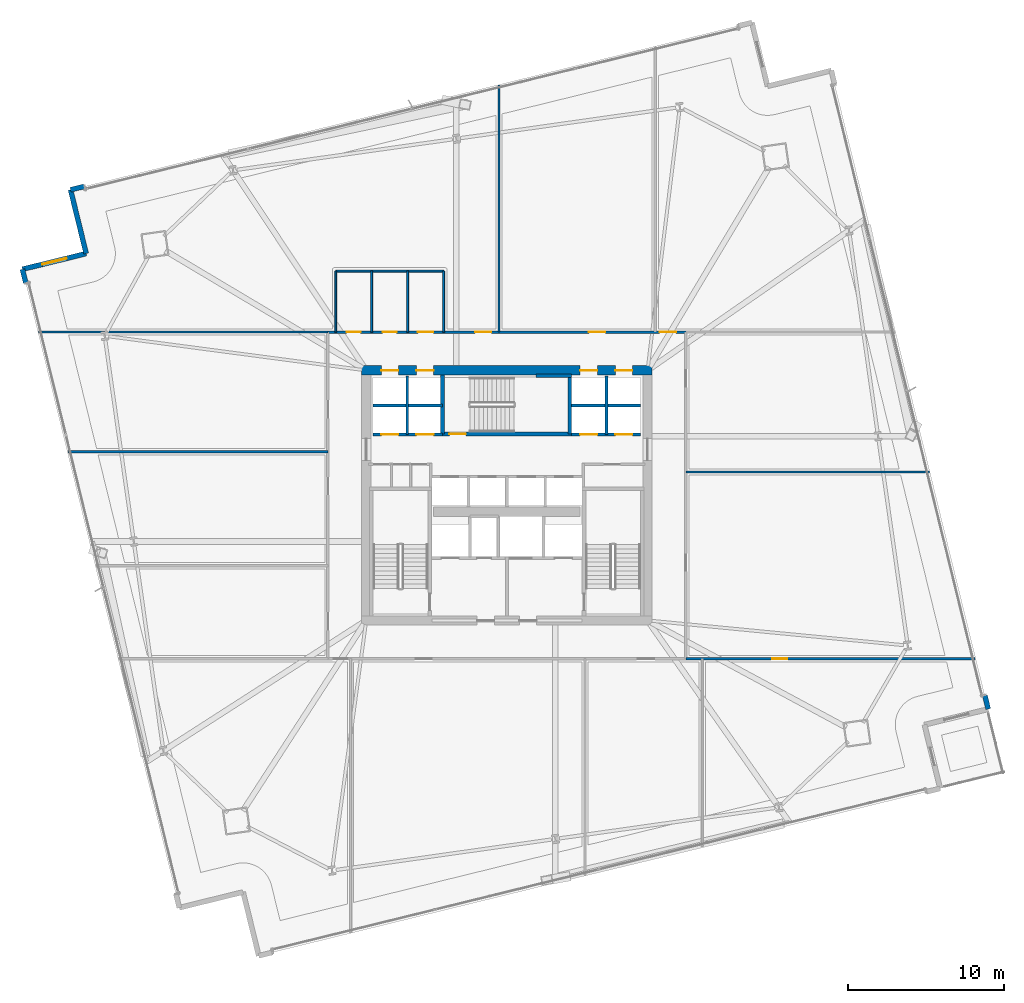
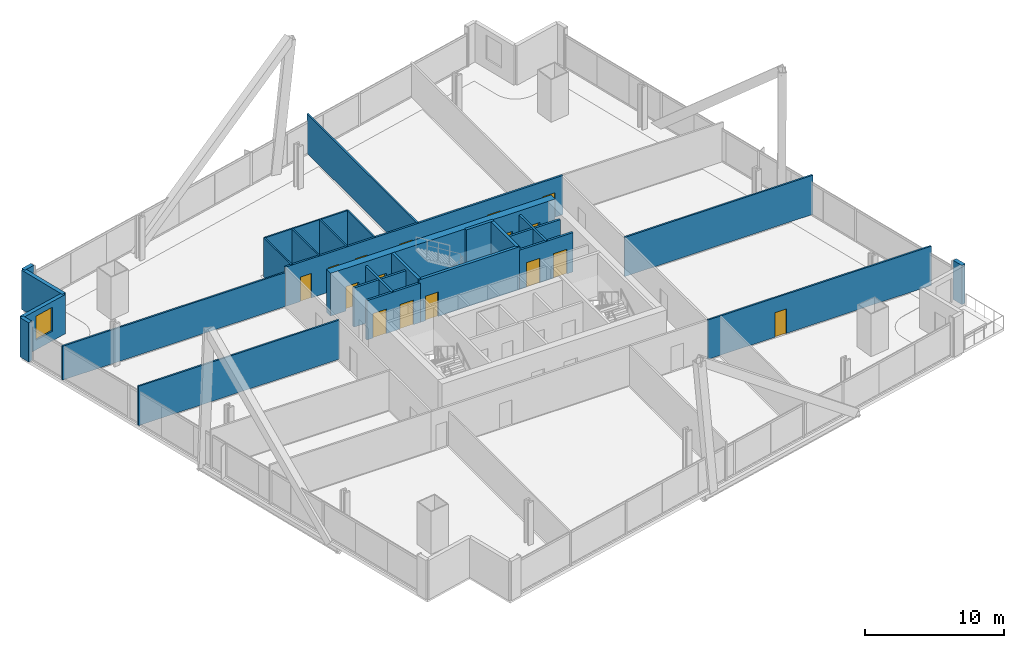
# One storey, part 26 of 32: 27 walls, 16 doors, 1 window, 17 openings.
"""IFC4 building model written with IfcOpenShell, lengths in metres."""

from ifc_helpers import new_model, si_unit, direction, frame, frame_2d, origin, place, context, subcontext, project, spatial, rectangle, extrude, material, layer, layer_set, type_object, element, fill, save


model = new_model("IFC4")

# Units and contexts
model_context = context("Model", 3, precision=1e-05, world=origin(), true_north=direction((0.0, 1.0)))
body_context = subcontext(model_context, "Body", "Model", "MODEL_VIEW")
ifc_project = project(units=[si_unit("LENGTHUNIT", "METRE"), si_unit("AREAUNIT", "SQUARE_METRE"), si_unit("VOLUMEUNIT", "CUBIC_METRE"), si_unit("PLANEANGLEUNIT", "RADIAN"), si_unit("MASSUNIT", "GRAM", prefix="KILO")], contexts=[model_context])

# Site, building, storey
site_placement = place(None, origin())
site = spatial("IfcSite", under=ifc_project, at=site_placement, CompositionType="ELEMENT")
building_placement = place(site_placement, origin())
building = spatial("IfcBuilding", under=site, at=building_placement, Name="Haldenkirk Collegiate Tower", CompositionType="ELEMENT")
storey_placement = place(building_placement, frame((0.0, 0.0, 73.949951171875)))
storey = spatial("IfcBuildingStorey", under=building, at=storey_placement, Name="L17", CompositionType="ELEMENT", Elevation=73.949951171875)

# Wall, openings, doors
ifc_material_1 = material(Name="Concrete f'c 70 MPa", Category="concrete")
ifc_layer_1 = layer(ifc_material_1, 0.60009765625)
ifc_layer_set_1 = layer_set([ifc_layer_1], Name="Concrete f'c 70 MPa")
wall_type_1 = type_object("IfcWallType", Name="WL-CORE-600", PredefinedType="SHEAR", material=ifc_layer_set_1)
wall_1_placement = place(storey_placement, frame((26.699951171875, 34.0, 0.0), z_axis=(0.0, 0.0, 1.0), x_axis=(1.0, 0.0, 0.0)))
wall_1 = element("IfcWall", 1, at=wall_1_placement, inside=storey, type_object=wall_type_1, Name="L17 central core shear wall N", PredefinedType="SHEAR", context=body_context, shape_type="SweptSolid", body=[
    extrude(rectangle(XDim=18.60009765625, YDim=0.60009765625, at=frame_2d((9.300048828125, 0.0))), origin(), (0.0, 0.0, 1.0), 3.75),
])
opening_1_placement = place(wall_1_placement, frame((1.264892578125, 0.0, 0.0)))
opening_1 = element("IfcOpeningElement", 2, at=opening_1_placement, cuts=wall_1, Name="Opening LD-11", PredefinedType="OPENING", context=body_context, shape_type="SweptSolid", body=[
    extrude(rectangle(XDim=1.10009765625, YDim=2.14990234375, at=frame_2d((0.550048828125, 1.074951171875))), frame((0.0, 0.31005859375, 0.0), z_axis=(0.0, -1.0, 0.0), x_axis=(1.0, 0.0, 0.0)), (0.0, 0.0, 1.0), 0.6201171875),
])
opening_2_placement = place(wall_1_placement, frame((3.514892578125, 0.0, 0.0)))
opening_2 = element("IfcOpeningElement", 3, at=opening_2_placement, cuts=wall_1, Name="Opening LD-11", PredefinedType="OPENING", context=body_context, shape_type="SweptSolid", body=[
    extrude(rectangle(XDim=1.10009765625, YDim=2.14990234375, at=frame_2d((0.550048828125, 1.074951171875))), frame((0.0, 0.31005859375, 0.0), z_axis=(0.0, -1.0, 0.0), x_axis=(1.0, 0.0, 0.0)), (0.0, 0.0, 1.0), 0.6201171875),
])
opening_3_placement = place(wall_1_placement, frame((13.985107421875, 0.0, 0.0)))
opening_3 = element("IfcOpeningElement", 4, at=opening_3_placement, cuts=wall_1, Name="Opening LD-11", PredefinedType="OPENING", context=body_context, shape_type="SweptSolid", body=[
    extrude(rectangle(XDim=1.10009765625, YDim=2.14990234375, at=frame_2d((0.550048828125, 1.074951171875))), frame((0.0, 0.31005859375, 0.0), z_axis=(0.0, -1.0, 0.0), x_axis=(1.0, 0.0, 0.0)), (0.0, 0.0, 1.0), 0.6201171875),
])
opening_4_placement = place(wall_1_placement, frame((16.235107421875, 0.0, 0.0)))
opening_4 = element("IfcOpeningElement", 5, at=opening_4_placement, cuts=wall_1, Name="Opening LD-11", PredefinedType="OPENING", context=body_context, shape_type="SweptSolid", body=[
    extrude(rectangle(XDim=1.10009765625, YDim=2.14990234375, at=frame_2d((0.550048828125, 1.074951171875))), frame((0.0, 0.31005859375, 0.0), z_axis=(0.0, -1.0, 0.0), x_axis=(1.0, 0.0, 0.0)), (0.0, 0.0, 1.0), 0.6201171875),
])
ifc_material_2 = material(Name="Brushed architectural stainless steel", Category="steel")
ifc_layer_2 = layer(ifc_material_2, 0.06005859375)
ifc_layer_set_2 = layer_set([ifc_layer_2], Name="Brushed architectural stainless steel")
door_type_1 = type_object("IfcDoorType", Name="LD-PASS-1100", OperationType="NOTDEFINED", PredefinedType="DOOR", material=ifc_layer_set_2)
door_1_placement = place(opening_1_placement, origin())
door_1 = element("IfcDoor", 6, at=door_1_placement, inside=storey, type_object=door_type_1, Name="L17 Elevator PL3 sliding landing door", OperationType="SLIDING_TO_LEFT", OverallHeight=2.14990234375, OverallWidth=1.10009765625, PredefinedType="DOOR", context=body_context, shape_type="SweptSolid", body=[
    extrude(rectangle(XDim=1.10009765625, YDim=2.14990234375, at=frame_2d((0.550048828125, 1.074951171875))), frame((0.0, 0.02490234375, 0.0), z_axis=(0.0, -1.0, 0.0), x_axis=(1.0, 0.0, 0.0)), (0.0, 0.0, 1.0), 0.050048828125),
])
fill(opening_1, door_1)
door_2_placement = place(opening_2_placement, origin())
door_2 = element("IfcDoor", 7, at=door_2_placement, inside=storey, type_object=door_type_1, Name="L17 Elevator PL4 sliding landing door", OperationType="SLIDING_TO_LEFT", OverallHeight=2.14990234375, OverallWidth=1.10009765625, PredefinedType="DOOR", context=body_context, shape_type="SweptSolid", body=[
    extrude(rectangle(XDim=1.10009765625, YDim=2.14990234375, at=frame_2d((0.550048828125, 1.074951171875))), frame((0.0, 0.02490234375, 0.0), z_axis=(0.0, -1.0, 0.0), x_axis=(1.0, 0.0, 0.0)), (0.0, 0.0, 1.0), 0.050048828125),
])
fill(opening_2, door_2)
door_3_placement = place(opening_3_placement, origin())
door_3 = element("IfcDoor", 8, at=door_3_placement, inside=storey, type_object=door_type_1, Name="L17 Elevator PM3 sliding landing door", OperationType="SLIDING_TO_LEFT", OverallHeight=2.14990234375, OverallWidth=1.10009765625, PredefinedType="DOOR", context=body_context, shape_type="SweptSolid", body=[
    extrude(rectangle(XDim=1.10009765625, YDim=2.14990234375, at=frame_2d((0.550048828125, 1.074951171875))), frame((0.0, 0.02490234375, 0.0), z_axis=(0.0, -1.0, 0.0), x_axis=(1.0, 0.0, 0.0)), (0.0, 0.0, 1.0), 0.050048828125),
])
fill(opening_3, door_3)
door_4_placement = place(opening_4_placement, origin())
door_4 = element("IfcDoor", 9, at=door_4_placement, inside=storey, type_object=door_type_1, Name="L17 Elevator PM4 sliding landing door", OperationType="SLIDING_TO_LEFT", OverallHeight=2.14990234375, OverallWidth=1.10009765625, PredefinedType="DOOR", context=body_context, shape_type="SweptSolid", body=[
    extrude(rectangle(XDim=1.10009765625, YDim=2.14990234375, at=frame_2d((0.550048828125, 1.074951171875))), frame((0.0, 0.02490234375, 0.0), z_axis=(0.0, -1.0, 0.0), x_axis=(1.0, 0.0, 0.0)), (0.0, 0.0, 1.0), 0.050048828125),
])
fill(opening_4, door_4)

# Walls
ifc_material_3 = material(Name="Precast concrete f'c 40 MPa", Category="concrete")
ifc_layer_3 = layer(ifc_material_3, 0.320068359375)
ifc_layer_set_3 = layer_set([ifc_layer_3], Name="Precast concrete f'c 40 MPa")
wall_type_2 = type_object("IfcWallType", Name="WL-EXT-TWR-320", PredefinedType="STANDARD", material=ifc_layer_set_3)
for number, where, z_axis, x_axis, name in (
    (10, (66.585693359375, 13.201416015625, 0.0), (0.0, 0.0, 1.0), (0.238704255463, -0.971092311999, 0.0), "L17 precast corner pier ER"),
    (11, (8.07958984375, 45.554443359375, 0.0), (0.0, 0.0, 1.0), (0.971092311999, 0.238704255463, 0.0), "L17 precast corner pier NL"),
):
    element("IfcWall", number, at=place(storey_placement, frame(where, z_axis=z_axis, x_axis=x_axis)), inside=storey, type_object=wall_type_2, Name=name, PredefinedType="STANDARD", context=body_context, shape_type="SweptSolid", body=[
        extrude(rectangle(XDim=0.900146484375, YDim=0.320068359375, at=frame_2d((0.4501953125, 0.0))), origin(), (0.0, 0.0, 1.0), 3.43994140625),
    ])
wall_2_placement = place(storey_placement, frame((9.08154296875, 41.475830078125, 0.0), z_axis=(0.0, 0.0, 1.0), x_axis=(-0.238567054654, 0.97112602706, 0.0)))
element("IfcWall", 12, at=wall_2_placement, inside=storey, type_object=wall_type_2, Name="L17 bronze precast notch wall 08", PredefinedType="STANDARD", context=body_context, shape_type="SweptSolid", body=[
    extrude(rectangle(XDim=4.199951171875, YDim=0.320068359375, at=frame_2d((2.10009765625, 0.0))), origin(), (0.0, 0.0, 1.0), 3.43994140625),
])

# Wall, opening, window
wall_3_placement = place(storey_placement, frame((5.002685546875, 40.473876953125, 0.0), z_axis=(0.0, 0.0, 1.0), x_axis=(0.971129335226, 0.238553587824, 0.0)))
wall_3 = element("IfcWall", 13, at=wall_3_placement, inside=storey, type_object=wall_type_2, Name="L17 bronze precast notch wall 09", PredefinedType="STANDARD", context=body_context, shape_type="SweptSolid", body=[
    extrude(rectangle(XDim=4.2001953125, YDim=0.320068359375, at=frame_2d((2.10009765625, 0.0))), origin(), (0.0, 0.0, 1.0), 3.43994140625),
])
opening_5_placement = place(wall_3_placement, frame((1.300048828125, 0.0, 0.85009765625)))
opening_5 = element("IfcOpeningElement", 14, at=opening_5_placement, cuts=wall_3, Name="Opening W-03", PredefinedType="OPENING", context=body_context, shape_type="SweptSolid", body=[
    extrude(rectangle(XDim=1.60009765625, YDim=2.10009765625, at=frame_2d((0.800048828125, 1.050048828125))), frame((0.0, 0.169921875, 0.0), z_axis=(0.0, -1.0, 0.0), x_axis=(1.0, 0.0, 0.0)), (0.0, 0.0, 1.0), 0.340087890625),
])
ifc_material_4 = material(Name="Low-E argon triple insulating glass", Category="glass")
ifc_layer_4 = layer(ifc_material_4, 0.090087890625)
ifc_layer_set_4 = layer_set([ifc_layer_4], Name="Low-E argon triple insulating glass")
window_type = type_object("IfcWindowType", Name="WN-Z1-1600X2100", PartitioningType="SINGLE_PANEL", PredefinedType="WINDOW", material=ifc_layer_set_4)
window_placement = place(opening_5_placement, origin())
window = element("IfcWindow", 15, at=window_placement, inside=storey, type_object=window_type, Name="L17 precast-frame academic window 8", OverallHeight=2.10009765625, OverallWidth=1.60009765625, PartitioningType="SINGLE_PANEL", PredefinedType="WINDOW", context=body_context, shape_type="SweptSolid", body=[
    extrude(rectangle(XDim=1.60009765625, YDim=2.10009765625, at=frame_2d((0.800048828125, 1.050048828125))), frame((0.0, 0.030029296875, 0.0), z_axis=(0.0, -1.0, 0.0), x_axis=(1.0, 0.0, 0.0)), (0.0, 0.0, 1.0), 0.06005859375),
])
fill(opening_5, window)

# Wall
wall_4_placement = place(storey_placement, frame((5.21728515625, 39.599853515625, 0.0), z_axis=(0.0, 0.0, 1.0), x_axis=(-0.238448431815, 0.971155160294, 0.0)))
element("IfcWall", 16, at=wall_4_placement, inside=storey, type_object=wall_type_2, Name="L17 precast corner pier WR", PredefinedType="STANDARD", context=body_context, shape_type="SweptSolid", body=[
    extrude(rectangle(XDim=0.89990234375, YDim=0.320068359375, at=frame_2d((0.449951171875, 0.0))), origin(), (0.0, 0.0, 1.0), 3.43994140625),
])

# Wall, openings, doors
ifc_material_5 = material(Name="Acoustic fire-rated gypsum partition", Category="concrete")
ifc_layer_5 = layer(ifc_material_5, 0.159912109375)
ifc_layer_set_5 = layer_set([ifc_layer_5], Name="Acoustic fire-rated gypsum partition")
wall_type_3 = type_object("IfcWallType", Name="WL-INT-CORR-160", PredefinedType="PARTITIONING", material=ifc_layer_set_5)
wall_5_placement = place(storey_placement, frame((24.5, 36.449951171875, 0.0), z_axis=(0.0, 0.0, 1.0), x_axis=(1.0, 0.0, 0.0)))
wall_5 = element("IfcWall", 17, at=wall_5_placement, inside=storey, type_object=wall_type_3, Name="L17 interior partition IW-L17-CN", PredefinedType="PARTITIONING", context=body_context, shape_type="SweptSolid", body=[
    extrude(rectangle(XDim=23.0, YDim=0.159912109375, at=frame_2d((11.5, 0.0))), origin(), (0.0, 0.0, 1.0), 3.43994140625),
])
opening_6_placement = place(wall_5_placement, frame((1.25, 0.0, 0.0)))
opening_6 = element("IfcOpeningElement", 18, at=opening_6_placement, cuts=wall_5, Name="Opening D-13", PredefinedType="OPENING", context=body_context, shape_type="SweptSolid", body=[
    extrude(rectangle(XDim=0.89990234375, YDim=2.14990234375, at=frame_2d((0.449951171875, 1.074951171875))), frame((0.0, 0.08984375, 0.0), z_axis=(0.0, -1.0, 0.0), x_axis=(1.0, 0.0, 0.0)), (0.0, 0.0, 1.0), 0.179931640625),
])
opening_7_placement = place(wall_5_placement, frame((3.550048828125, 0.0, 0.0)))
opening_7 = element("IfcOpeningElement", 19, at=opening_7_placement, cuts=wall_5, Name="Opening D-13", PredefinedType="OPENING", context=body_context, shape_type="SweptSolid", body=[
    extrude(rectangle(XDim=0.89990234375, YDim=2.14990234375, at=frame_2d((0.449951171875, 1.074951171875))), frame((0.0, 0.08984375, 0.0), z_axis=(0.0, -1.0, 0.0), x_axis=(1.0, 0.0, 0.0)), (0.0, 0.0, 1.0), 0.179931640625),
])
opening_8_placement = place(wall_5_placement, frame((5.800048828125, 0.0, 0.0)))
opening_8 = element("IfcOpeningElement", 20, at=opening_8_placement, cuts=wall_5, Name="Opening D-14", PredefinedType="OPENING", context=body_context, shape_type="SweptSolid", body=[
    extrude(rectangle(XDim=1.0, YDim=2.14990234375, at=frame_2d((0.5, 1.074951171875))), frame((0.0, 0.08984375, 0.0), z_axis=(0.0, -1.0, 0.0), x_axis=(1.0, 0.0, 0.0)), (0.0, 0.0, 1.0), 0.179931640625),
])
opening_9_placement = place(wall_5_placement, frame((9.465087890625, 0.0, 0.0)))
opening_9 = element("IfcOpeningElement", 21, at=opening_9_placement, cuts=wall_5, Name="Opening D-09", PredefinedType="OPENING", context=body_context, shape_type="SweptSolid", body=[
    extrude(rectangle(XDim=1.050048828125, YDim=2.14990234375, at=frame_2d((0.52490234375, 1.074951171875))), frame((0.0, 0.08984375, 0.0), z_axis=(0.0, -1.0, 0.0), x_axis=(1.0, 0.0, 0.0)), (0.0, 0.0, 1.0), 0.179931640625),
])
opening_10_placement = place(wall_5_placement, frame((16.7548828125, 0.0, 0.0)))
opening_10 = element("IfcOpeningElement", 22, at=opening_10_placement, cuts=wall_5, Name="Opening D-09", PredefinedType="OPENING", context=body_context, shape_type="SweptSolid", body=[
    extrude(rectangle(XDim=1.050048828125, YDim=2.14990234375, at=frame_2d((0.52490234375, 1.074951171875))), frame((0.0, 0.08984375, 0.0), z_axis=(0.0, -1.0, 0.0), x_axis=(1.0, 0.0, 0.0)), (0.0, 0.0, 1.0), 0.179931640625),
])
opening_11_placement = place(wall_5_placement, frame((21.280029296875, 0.0, 0.0)))
opening_11 = element("IfcOpeningElement", 23, at=opening_11_placement, cuts=wall_5, Name="Opening D-09", PredefinedType="OPENING", context=body_context, shape_type="SweptSolid", body=[
    extrude(rectangle(XDim=1.050048828125, YDim=2.14990234375, at=frame_2d((0.52490234375, 1.074951171875))), frame((0.0, 0.08984375, 0.0), z_axis=(0.0, -1.0, 0.0), x_axis=(1.0, 0.0, 0.0)), (0.0, 0.0, 1.0), 0.179931640625),
])
ifc_material_6 = material(Name="Solid-core architectural oak fire door", Category="wood")
ifc_layer_6 = layer(ifc_material_6, 0.06005859375)
ifc_layer_set_6 = layer_set([ifc_layer_6], Name="Solid-core architectural oak fire door")
door_type_2 = type_object("IfcDoorType", Name="DR-INT-ACC-1000", OperationType="NOTDEFINED", PredefinedType="DOOR", material=ifc_layer_set_6)
door_5_placement = place(opening_8_placement, origin())
door_5 = element("IfcDoor", 24, at=door_5_placement, inside=storey, type_object=door_type_2, Name="L17 Accessible WC door", OperationType="SINGLE_SWING_RIGHT", OverallHeight=2.14990234375, OverallWidth=1.0, PredefinedType="DOOR", context=body_context, shape_type="SweptSolid", body=[
    extrude(rectangle(XDim=1.0, YDim=2.14990234375, at=frame_2d((0.5, 1.074951171875))), frame((0.0, 0.02490234375, 0.0), z_axis=(0.0, -1.0, 0.0), x_axis=(1.0, 0.0, 0.0)), (0.0, 0.0, 1.0), 0.050048828125),
])
fill(opening_8, door_5)
ifc_layer_7 = layer(ifc_material_6, 0.06005859375)
ifc_layer_set_7 = layer_set([ifc_layer_7], Name="Solid-core architectural oak fire door")
door_type_3 = type_object("IfcDoorType", Name="DR-INT-FD60-1050", OperationType="NOTDEFINED", PredefinedType="DOOR", material=ifc_layer_set_7)
door_6_placement = place(opening_9_placement, origin())
door_6 = element("IfcDoor", 25, at=door_6_placement, inside=storey, type_object=door_type_3, Name="L17 Urbanism Pin-Up Studio 5 door", OperationType="SINGLE_SWING_LEFT", OverallHeight=2.14990234375, OverallWidth=1.050048828125, PredefinedType="DOOR", context=body_context, shape_type="SweptSolid", body=[
    extrude(rectangle(XDim=1.050048828125, YDim=2.14990234375, at=frame_2d((0.52490234375, 1.074951171875))), frame((0.0, 0.02490234375, 0.0), z_axis=(0.0, -1.0, 0.0), x_axis=(1.0, 0.0, 0.0)), (0.0, 0.0, 1.0), 0.050048828125),
])
fill(opening_9, door_6)
door_7_placement = place(opening_10_placement, origin())
door_7 = element("IfcDoor", 26, at=door_7_placement, inside=storey, type_object=door_type_3, Name="L17 Exhibition Gallery Studio 6 door", OperationType="SINGLE_SWING_RIGHT", OverallHeight=2.14990234375, OverallWidth=1.050048828125, PredefinedType="DOOR", context=body_context, shape_type="SweptSolid", body=[
    extrude(rectangle(XDim=1.050048828125, YDim=2.14990234375, at=frame_2d((0.52490234375, 1.074951171875))), frame((0.0, 0.02490234375, 0.0), z_axis=(0.0, -1.0, 0.0), x_axis=(1.0, 0.0, 0.0)), (0.0, 0.0, 1.0), 0.050048828125),
])
fill(opening_10, door_7)
door_8_placement = place(opening_11_placement, origin())
door_8 = element("IfcDoor", 27, at=door_8_placement, inside=storey, type_object=door_type_3, Name="L17 Academic Press Bookshop 7 door", OperationType="SINGLE_SWING_LEFT", OverallHeight=2.14990234375, OverallWidth=1.050048828125, PredefinedType="DOOR", context=body_context, shape_type="SweptSolid", body=[
    extrude(rectangle(XDim=1.050048828125, YDim=2.14990234375, at=frame_2d((0.52490234375, 1.074951171875))), frame((0.0, 0.02490234375, 0.0), z_axis=(0.0, -1.0, 0.0), x_axis=(1.0, 0.0, 0.0)), (0.0, 0.0, 1.0), 0.050048828125),
])
fill(opening_11, door_8)
ifc_layer_8 = layer(ifc_material_6, 0.06005859375)
ifc_layer_set_8 = layer_set([ifc_layer_8], Name="Solid-core architectural oak fire door")
door_type_4 = type_object("IfcDoorType", Name="DR-INT-STD-900", OperationType="NOTDEFINED", PredefinedType="DOOR", material=ifc_layer_set_8)
door_9_placement = place(opening_6_placement, origin())
door_9 = element("IfcDoor", 28, at=door_9_placement, inside=storey, type_object=door_type_4, Name="L17 Male WC door", OperationType="SINGLE_SWING_RIGHT", OverallHeight=2.14990234375, OverallWidth=0.89990234375, PredefinedType="DOOR", context=body_context, shape_type="SweptSolid", body=[
    extrude(rectangle(XDim=0.89990234375, YDim=2.14990234375, at=frame_2d((0.449951171875, 1.074951171875))), frame((0.0, 0.02490234375, 0.0), z_axis=(0.0, -1.0, 0.0), x_axis=(1.0, 0.0, 0.0)), (0.0, 0.0, 1.0), 0.050048828125),
])
fill(opening_6, door_9)
door_10_placement = place(opening_7_placement, origin())
door_10 = element("IfcDoor", 29, at=door_10_placement, inside=storey, type_object=door_type_4, Name="L17 Female WC door", OperationType="SINGLE_SWING_LEFT", OverallHeight=2.14990234375, OverallWidth=0.89990234375, PredefinedType="DOOR", context=body_context, shape_type="SweptSolid", body=[
    extrude(rectangle(XDim=0.89990234375, YDim=2.14990234375, at=frame_2d((0.449951171875, 1.074951171875))), frame((0.0, 0.02490234375, 0.0), z_axis=(0.0, -1.0, 0.0), x_axis=(1.0, 0.0, 0.0)), (0.0, 0.0, 1.0), 0.050048828125),
])
fill(opening_7, door_10)

# Wall
ifc_layer_9 = layer(ifc_material_5, 0.139892578125)
ifc_layer_set_9 = layer_set([ifc_layer_9], Name="Acoustic fire-rated gypsum partition")
wall_type_4 = type_object("IfcWallType", Name="WL-INT-DIV-140", PredefinedType="PARTITIONING", material=ifc_layer_set_9)
wall_6_placement = place(storey_placement, frame((6.0322265625, 36.449951171875, 0.0), z_axis=(0.0, 0.0, 1.0), x_axis=(1.0, 0.0, 0.0)))
element("IfcWall", 30, at=wall_6_placement, inside=storey, type_object=wall_type_4, Name="L17 interior partition IW-L17-BWN", PredefinedType="PARTITIONING", context=body_context, shape_type="SweptSolid", body=[
    extrude(rectangle(XDim=18.517822265625, YDim=0.139892578125, at=frame_2d((9.2587890625, 0.0))), origin(), (0.0, 0.0, 1.0), 2.97216796875),
])

# Wall, opening, door
wall_7_placement = place(storey_placement, frame((47.449951171875, 15.550048828125, 0.0), z_axis=(0.0, 0.0, 1.0), x_axis=(1.0, 0.0, 0.0)))
wall_7 = element("IfcWall", 31, at=wall_7_placement, inside=storey, type_object=wall_type_4, Name="L17 interior partition IW-L17-BES", PredefinedType="PARTITIONING", context=body_context, shape_type="SweptSolid", body=[
    extrude(rectangle(XDim=18.517822265625, YDim=0.139892578125, at=frame_2d((9.2587890625, 0.0))), origin(), (0.0, 0.0, 1.0), 3.43994140625),
])
opening_12_placement = place(wall_7_placement, frame((5.5400390625, 0.0, 0.0)))
opening_12 = element("IfcOpeningElement", 32, at=opening_12_placement, cuts=wall_7, Name="Opening D-12", PredefinedType="OPENING", context=body_context, shape_type="SweptSolid", body=[
    extrude(rectangle(XDim=0.949951171875, YDim=2.14990234375, at=frame_2d((0.47509765625, 1.074951171875))), frame((0.0, 0.079833984375, 0.0), z_axis=(0.0, -1.0, 0.0), x_axis=(1.0, 0.0, 0.0)), (0.0, 0.0, 1.0), 0.159912109375),
])
ifc_layer_10 = layer(ifc_material_6, 0.06005859375)
ifc_layer_set_10 = layer_set([ifc_layer_10], Name="Solid-core architectural oak fire door")
door_type_5 = type_object("IfcDoorType", Name="DR-INT-STD-950", OperationType="NOTDEFINED", PredefinedType="DOOR", material=ifc_layer_set_10)
door_11_placement = place(opening_12_placement, origin())
door_11 = element("IfcDoor", 33, at=door_11_placement, inside=storey, type_object=door_type_5, Name="L17 Architectural Crit Studio 4 door", OperationType="SINGLE_SWING_RIGHT", OverallHeight=2.14990234375, OverallWidth=0.949951171875, PredefinedType="DOOR", context=body_context, shape_type="SweptSolid", body=[
    extrude(rectangle(XDim=0.949951171875, YDim=2.14990234375, at=frame_2d((0.47509765625, 1.074951171875))), frame((0.0, 0.02490234375, 0.0), z_axis=(0.0, -1.0, 0.0), x_axis=(1.0, 0.0, 0.0)), (0.0, 0.0, 1.0), 0.050048828125),
])
fill(opening_12, door_11)

# Walls
wall_8_placement = place(storey_placement, frame((35.5, 36.449951171875, 0.0), z_axis=(0.0, 0.0, 1.0), x_axis=(0.0, 1.0, 0.0)))
element("IfcWall", 34, at=wall_8_placement, inside=storey, type_object=wall_type_4, Name="L17 interior partition IW-L17-RN1", PredefinedType="PARTITIONING", context=body_context, shape_type="SweptSolid", body=[
    extrude(rectangle(XDim=15.79833984375, YDim=0.139892578125, at=frame_2d((7.899169921875, 0.0))), origin(), (0.0, 0.0, 1.0), 3.43994140625),
])
wall_9_placement = place(storey_placement, frame((7.911376953125, 28.800048828125, 0.0), z_axis=(0.0, 0.0, 1.0), x_axis=(1.0, 0.0, 0.0)))
element("IfcWall", 35, at=wall_9_placement, inside=storey, type_object=wall_type_4, Name="L17 interior partition IW-L17-RW2", PredefinedType="PARTITIONING", context=body_context, shape_type="SweptSolid", body=[
    extrude(rectangle(XDim=16.638671875, YDim=0.139892578125, at=frame_2d((8.3193359375, 0.0))), origin(), (0.0, 0.0, 1.0), 3.43994140625),
])
wall_10_placement = place(storey_placement, frame((47.449951171875, 27.5, 0.0), z_axis=(0.0, 0.0, 1.0), x_axis=(1.0, 0.0, 0.0)))
element("IfcWall", 36, at=wall_10_placement, inside=storey, type_object=wall_type_4, Name="L17 interior partition IW-L17-RE1", PredefinedType="PARTITIONING", context=body_context, shape_type="SweptSolid", body=[
    extrude(rectangle(XDim=15.58251953125, YDim=0.139892578125, at=frame_2d((7.791259765625, 0.0))), origin(), (0.0, 0.0, 1.0), 3.43994140625),
])

# Wall, openings, doors
ifc_material_7 = material(Name="Fire-rated gypsum shaftboard assembly", Category="concrete")
ifc_layer_11 = layer(ifc_material_7, 0.179931640625)
ifc_layer_set_11 = layer_set([ifc_layer_11], Name="Fire-rated gypsum shaftboard assembly")
wall_type_5 = type_object("IfcWallType", Name="WL-INT-SHAFT-180", PredefinedType="PARTITIONING", material=ifc_layer_set_11)
wall_11_placement = place(storey_placement, frame((27.449951171875, 29.89990234375, 0.0), z_axis=(0.0, 0.0, 1.0), x_axis=(1.0, 0.0, 0.0)))
wall_11 = element("IfcWall", 37, at=wall_11_placement, inside=storey, type_object=wall_type_5, Name="L17 interior partition IW-L17-PLS", PredefinedType="PARTITIONING", context=body_context, shape_type="SweptSolid", body=[
    extrude(rectangle(XDim=4.429931640625, YDim=0.179931640625, at=frame_2d((2.21484375, 0.0))), origin(), (0.0, 0.0, 1.0), 3.43994140625),
])
opening_13_placement = place(wall_11_placement, frame((0.514892578125, 0.0, 0.0)))
opening_13 = element("IfcOpeningElement", 38, at=opening_13_placement, cuts=wall_11, Name="Opening LD-11", PredefinedType="OPENING", context=body_context, shape_type="SweptSolid", body=[
    extrude(rectangle(XDim=1.10009765625, YDim=2.14990234375, at=frame_2d((0.550048828125, 1.074951171875))), frame((0.0, 0.099853515625, 0.0), z_axis=(0.0, -1.0, 0.0), x_axis=(1.0, 0.0, 0.0)), (0.0, 0.0, 1.0), 0.199951171875),
])
opening_14_placement = place(wall_11_placement, frame((2.764892578125, 0.0, 0.0)))
opening_14 = element("IfcOpeningElement", 39, at=opening_14_placement, cuts=wall_11, Name="Opening LD-11", PredefinedType="OPENING", context=body_context, shape_type="SweptSolid", body=[
    extrude(rectangle(XDim=1.10009765625, YDim=2.14990234375, at=frame_2d((0.550048828125, 1.074951171875))), frame((0.0, 0.099853515625, 0.0), z_axis=(0.0, -1.0, 0.0), x_axis=(1.0, 0.0, 0.0)), (0.0, 0.0, 1.0), 0.199951171875),
])
door_12_placement = place(opening_13_placement, origin())
door_12 = element("IfcDoor", 40, at=door_12_placement, inside=storey, type_object=door_type_1, Name="L17 Elevator PL1 sliding landing door", OperationType="SLIDING_TO_LEFT", OverallHeight=2.14990234375, OverallWidth=1.10009765625, PredefinedType="DOOR", context=body_context, shape_type="SweptSolid", body=[
    extrude(rectangle(XDim=1.10009765625, YDim=2.14990234375, at=frame_2d((0.550048828125, 1.074951171875))), frame((0.0, 0.02490234375, 0.0), z_axis=(0.0, -1.0, 0.0), x_axis=(1.0, 0.0, 0.0)), (0.0, 0.0, 1.0), 0.050048828125),
])
fill(opening_13, door_12)
door_13_placement = place(opening_14_placement, origin())
door_13 = element("IfcDoor", 41, at=door_13_placement, inside=storey, type_object=door_type_1, Name="L17 Elevator PL2 sliding landing door", OperationType="SLIDING_TO_LEFT", OverallHeight=2.14990234375, OverallWidth=1.10009765625, PredefinedType="DOOR", context=body_context, shape_type="SweptSolid", body=[
    extrude(rectangle(XDim=1.10009765625, YDim=2.14990234375, at=frame_2d((0.550048828125, 1.074951171875))), frame((0.0, 0.02490234375, 0.0), z_axis=(0.0, -1.0, 0.0), x_axis=(1.0, 0.0, 0.0)), (0.0, 0.0, 1.0), 0.050048828125),
])
fill(opening_14, door_13)

# Walls
wall_12_placement = place(storey_placement, frame((27.449951171875, 31.75, 0.0), z_axis=(0.0, 0.0, 1.0), x_axis=(1.0, 0.0, 0.0)))
element("IfcWall", 42, at=wall_12_placement, inside=storey, type_object=wall_type_5, Name="L17 interior partition IW-L17-PLM", PredefinedType="PARTITIONING", context=body_context, shape_type="SweptSolid", body=[
    extrude(rectangle(XDim=4.429931640625, YDim=0.179931640625, at=frame_2d((2.21484375, 0.0))), origin(), (0.0, 0.0, 1.0), 3.43994140625),
])
wall_13_placement = place(storey_placement, frame((29.6298828125, 29.89990234375, 0.0), z_axis=(0.0, 0.0, 1.0), x_axis=(0.0, 1.0, 0.0)))
element("IfcWall", 43, at=wall_13_placement, inside=storey, type_object=wall_type_5, Name="L17 interior partition IW-L17-PLV", PredefinedType="PARTITIONING", context=body_context, shape_type="SweptSolid", body=[
    extrude(rectangle(XDim=3.75, YDim=0.179931640625, at=frame_2d((1.875, 0.0))), origin(), (0.0, 0.0, 1.0), 3.43994140625),
])

# Wall, openings, doors
wall_14_placement = place(storey_placement, frame((40.1201171875, 29.89990234375, 0.0), z_axis=(0.0, 0.0, 1.0), x_axis=(1.0, 0.0, 0.0)))
wall_14 = element("IfcWall", 44, at=wall_14_placement, inside=storey, type_object=wall_type_5, Name="L17 interior partition IW-L17-PMS", PredefinedType="PARTITIONING", context=body_context, shape_type="SweptSolid", body=[
    extrude(rectangle(XDim=4.429931640625, YDim=0.179931640625, at=frame_2d((2.21484375, 0.0))), origin(), (0.0, 0.0, 1.0), 3.43994140625),
])
opening_15_placement = place(wall_14_placement, frame((0.56494140625, 0.0, 0.0)))
opening_15 = element("IfcOpeningElement", 45, at=opening_15_placement, cuts=wall_14, Name="Opening LD-11", PredefinedType="OPENING", context=body_context, shape_type="SweptSolid", body=[
    extrude(rectangle(XDim=1.10009765625, YDim=2.14990234375, at=frame_2d((0.550048828125, 1.074951171875))), frame((0.0, 0.099853515625, 0.0), z_axis=(0.0, -1.0, 0.0), x_axis=(1.0, 0.0, 0.0)), (0.0, 0.0, 1.0), 0.199951171875),
])
opening_16_placement = place(wall_14_placement, frame((2.81494140625, 0.0, 0.0)))
opening_16 = element("IfcOpeningElement", 46, at=opening_16_placement, cuts=wall_14, Name="Opening LD-11", PredefinedType="OPENING", context=body_context, shape_type="SweptSolid", body=[
    extrude(rectangle(XDim=1.10009765625, YDim=2.14990234375, at=frame_2d((0.550048828125, 1.074951171875))), frame((0.0, 0.099853515625, 0.0), z_axis=(0.0, -1.0, 0.0), x_axis=(1.0, 0.0, 0.0)), (0.0, 0.0, 1.0), 0.199951171875),
])
door_14_placement = place(opening_15_placement, origin())
door_14 = element("IfcDoor", 47, at=door_14_placement, inside=storey, type_object=door_type_1, Name="L17 Elevator PM1 sliding landing door", OperationType="SLIDING_TO_LEFT", OverallHeight=2.14990234375, OverallWidth=1.10009765625, PredefinedType="DOOR", context=body_context, shape_type="SweptSolid", body=[
    extrude(rectangle(XDim=1.10009765625, YDim=2.14990234375, at=frame_2d((0.550048828125, 1.074951171875))), frame((0.0, 0.02490234375, 0.0), z_axis=(0.0, -1.0, 0.0), x_axis=(1.0, 0.0, 0.0)), (0.0, 0.0, 1.0), 0.050048828125),
])
fill(opening_15, door_14)
door_15_placement = place(opening_16_placement, origin())
door_15 = element("IfcDoor", 48, at=door_15_placement, inside=storey, type_object=door_type_1, Name="L17 Elevator PM2 sliding landing door", OperationType="SLIDING_TO_LEFT", OverallHeight=2.14990234375, OverallWidth=1.10009765625, PredefinedType="DOOR", context=body_context, shape_type="SweptSolid", body=[
    extrude(rectangle(XDim=1.10009765625, YDim=2.14990234375, at=frame_2d((0.550048828125, 1.074951171875))), frame((0.0, 0.02490234375, 0.0), z_axis=(0.0, -1.0, 0.0), x_axis=(1.0, 0.0, 0.0)), (0.0, 0.0, 1.0), 0.050048828125),
])
fill(opening_16, door_15)

# Walls
wall_15_placement = place(storey_placement, frame((40.1201171875, 31.75, 0.0), z_axis=(0.0, 0.0, 1.0), x_axis=(1.0, 0.0, 0.0)))
element("IfcWall", 49, at=wall_15_placement, inside=storey, type_object=wall_type_5, Name="L17 interior partition IW-L17-PMM", PredefinedType="PARTITIONING", context=body_context, shape_type="SweptSolid", body=[
    extrude(rectangle(XDim=4.429931640625, YDim=0.179931640625, at=frame_2d((2.21484375, 0.0))), origin(), (0.0, 0.0, 1.0), 3.43994140625),
])
wall_16_placement = place(storey_placement, frame((42.3701171875, 29.89990234375, 0.0), z_axis=(0.0, 0.0, 1.0), x_axis=(0.0, 1.0, 0.0)))
element("IfcWall", 50, at=wall_16_placement, inside=storey, type_object=wall_type_5, Name="L17 interior partition IW-L17-PMV", PredefinedType="PARTITIONING", context=body_context, shape_type="SweptSolid", body=[
    extrude(rectangle(XDim=3.75, YDim=0.179931640625, at=frame_2d((1.875, 0.0))), origin(), (0.0, 0.0, 1.0), 3.43994140625),
])
ifc_layer_12 = layer(ifc_material_5, 0.1201171875)
ifc_layer_set_12 = layer_set([ifc_layer_12], Name="Acoustic fire-rated gypsum partition")
wall_type_6 = type_object("IfcWallType", Name="WL-INT-WET-120", PredefinedType="PARTITIONING", material=ifc_layer_set_12)
for number, where, z_axis, x_axis, name in (
    (51, (25.050048828125, 36.449951171875, 0.0), (0.0, 0.0, 1.0), (0.0, 1.0, 0.0), "L17 interior partition IW-L17-WCW"),
    (52, (27.35009765625, 36.449951171875, 0.0), (0.0, 0.0, 1.0), (0.0, 1.0, 0.0), "L17 interior partition IW-L17-WC1"),
    (53, (29.64990234375, 36.449951171875, 0.0), (0.0, 0.0, 1.0), (0.0, 1.0, 0.0), "L17 interior partition IW-L17-WC2"),
    (54, (31.949951171875, 36.449951171875, 0.0), (0.0, 0.0, 1.0), (0.0, 1.0, 0.0), "L17 interior partition IW-L17-WCE"),
):
    element("IfcWall", number, at=place(storey_placement, frame(where, z_axis=z_axis, x_axis=x_axis)), inside=storey, type_object=wall_type_6, Name=name, PredefinedType="PARTITIONING", context=body_context, shape_type="SweptSolid", body=[
        extrude(rectangle(XDim=3.900146484375, YDim=0.1201171875, at=frame_2d((1.9501953125, 0.0))), origin(), (0.0, 0.0, 1.0), 3.43994140625),
    ])
wall_17_placement = place(storey_placement, frame((25.050048828125, 40.35009765625, 0.0), z_axis=(0.0, 0.0, 1.0), x_axis=(1.0, 0.0, 0.0)))
element("IfcWall", 55, at=wall_17_placement, inside=storey, type_object=wall_type_6, Name="L17 interior partition IW-L17-WCB", PredefinedType="PARTITIONING", context=body_context, shape_type="SweptSolid", body=[
    extrude(rectangle(XDim=6.89990234375, YDim=0.1201171875, at=frame_2d((3.449951171875, 0.0))), origin(), (0.0, 0.0, 1.0), 3.43994140625),
])

# Wall, opening, door
ifc_material_8 = material(Name="Concrete f'c 55 MPa", Category="concrete")
ifc_layer_13 = layer(ifc_material_8, 0.239990234375)
ifc_layer_set_13 = layer_set([ifc_layer_13], Name="Concrete f'c 55 MPa")
wall_type_7 = type_object("IfcWallType", Name="WL-SHAFT-240", PredefinedType="SHEAR", material=ifc_layer_set_13)
wall_18_placement = place(storey_placement, frame((31.760009765625, 29.929931640625, 0.0), z_axis=(0.0, 0.0, 1.0), x_axis=(1.0, 0.0, 0.0)))
wall_18 = element("IfcWall", 56, at=wall_18_placement, inside=storey, type_object=wall_type_7, Name="L17 stair shaft shear wall SW-L17-ST3S", PredefinedType="SHEAR", context=body_context, shape_type="SweptSolid", body=[
    extrude(rectangle(XDim=8.3798828125, YDim=0.239990234375, at=frame_2d((4.18994140625, 0.0))), origin(), (0.0, 0.0, 1.0), 3.75),
])
opening_17_placement = place(wall_18_placement, frame((0.56494140625, 0.0, 0.0)))
opening_17 = element("IfcOpeningElement", 57, at=opening_17_placement, cuts=wall_18, Name="Opening D-01", PredefinedType="OPENING", context=body_context, shape_type="SweptSolid", body=[
    extrude(rectangle(XDim=1.050048828125, YDim=2.14990234375, at=frame_2d((0.52490234375, 1.074951171875))), frame((0.0, 0.1298828125, 0.0), z_axis=(0.0, -1.0, 0.0), x_axis=(1.0, 0.0, 0.0)), (0.0, 0.0, 1.0), 0.260009765625),
])
ifc_material_9 = material(Name="Galvanized fire-rated hollow steel door", Category="steel")
ifc_layer_14 = layer(ifc_material_9, 0.06005859375)
ifc_layer_set_14 = layer_set([ifc_layer_14], Name="Galvanized fire-rated hollow steel door")
door_type_6 = type_object("IfcDoorType", Name="DR-STAIR-FD90-1050", OperationType="NOTDEFINED", PredefinedType="DOOR", material=ifc_layer_set_14)
door_16_placement = place(opening_17_placement, origin())
door_16 = element("IfcDoor", 58, at=door_16_placement, inside=storey, type_object=door_type_6, Name="L17 lift lobby Stair 3 door", OperationType="SINGLE_SWING_RIGHT", OverallHeight=2.14990234375, OverallWidth=1.050048828125, PredefinedType="DOOR", context=body_context, shape_type="SweptSolid", body=[
    extrude(rectangle(XDim=1.050048828125, YDim=2.14990234375, at=frame_2d((0.52490234375, 1.074951171875))), frame((0.0, 0.02490234375, 0.0), z_axis=(0.0, -1.0, 0.0), x_axis=(1.0, 0.0, 0.0)), (0.0, 0.0, 1.0), 0.050048828125),
])
fill(opening_17, door_16)

# Walls
wall_19_placement = place(storey_placement, frame((31.8798828125, 29.929931640625, 0.0), z_axis=(0.0, 0.0, 1.0), x_axis=(0.0, 1.0, 0.0)))
element("IfcWall", 59, at=wall_19_placement, inside=storey, type_object=wall_type_7, Name="L17 stair shaft shear wall SW-L17-ST3W", PredefinedType="SHEAR", context=body_context, shape_type="SweptSolid", body=[
    extrude(rectangle(XDim=3.7900390625, YDim=0.239990234375, at=frame_2d((1.89501953125, 0.0))), origin(), (0.0, 0.0, 1.0), 3.75),
])
wall_20_placement = place(storey_placement, frame((40.02001953125, 29.929931640625, 0.0), z_axis=(0.0, 0.0, 1.0), x_axis=(0.0, 1.0, 0.0)))
element("IfcWall", 60, at=wall_20_placement, inside=storey, type_object=wall_type_7, Name="L17 stair shaft shear wall SW-L17-ST3E", PredefinedType="SHEAR", context=body_context, shape_type="SweptSolid", body=[
    extrude(rectangle(XDim=3.85009765625, YDim=0.239990234375, at=frame_2d((1.925048828125, 0.0))), origin(), (0.0, 0.0, 1.0), 3.75),
])
wall_21_placement = place(storey_placement, frame((37.85009765625, 33.659912109375, 0.0), z_axis=(0.0, 0.0, 1.0), x_axis=(1.0, 0.0, 0.0)))
element("IfcWall", 61, at=wall_21_placement, inside=storey, type_object=wall_type_7, Name="L17 stair shaft shear wall SW-L17-ST3N", PredefinedType="SHEAR", context=body_context, shape_type="SweptSolid", body=[
    extrude(rectangle(XDim=2.289794921875, YDim=0.239990234375, at=frame_2d((1.14501953125, 0.0))), origin(), (0.0, 0.0, 1.0), 3.75),
])

save(model, "model.ifc")
